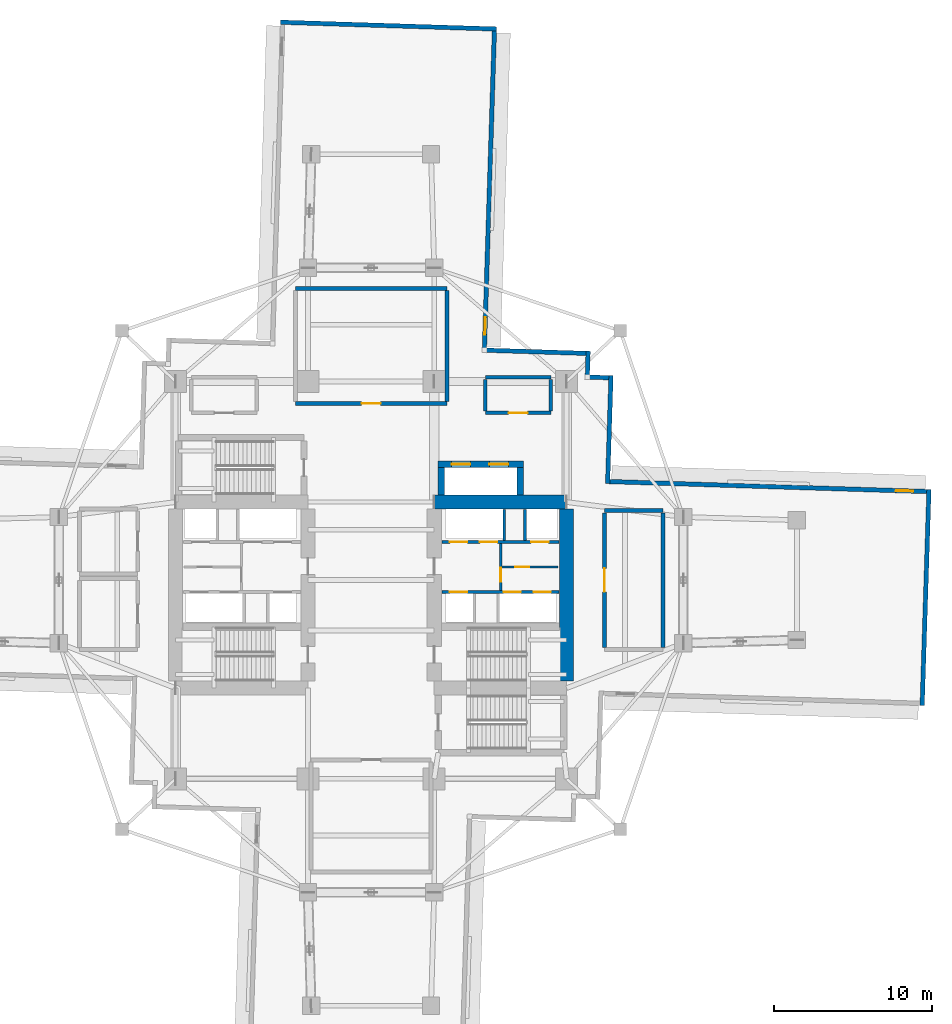
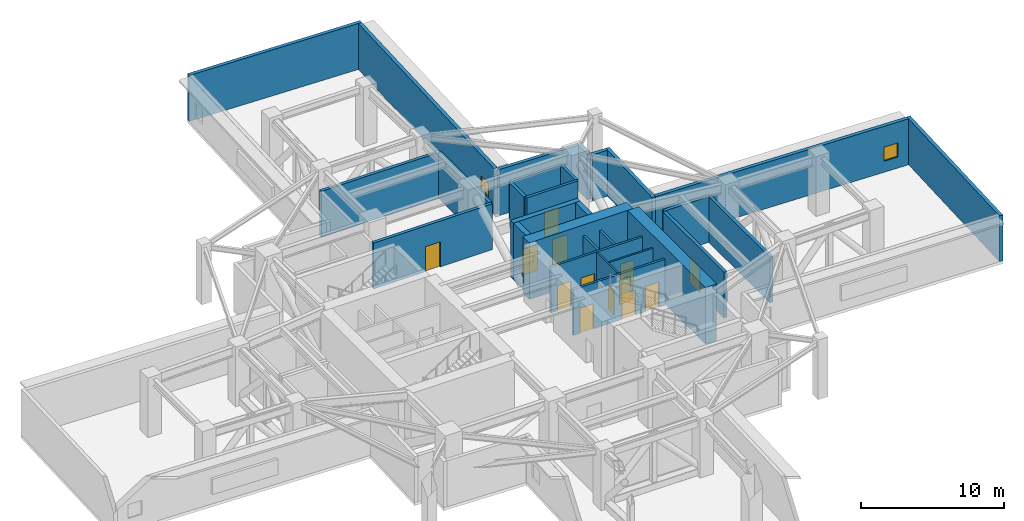
# One storey, part 11 of 17: 29 walls, 13 doors, 2 windows, 15 openings.
"""IFC4 building model written with IfcOpenShell, lengths in metres."""

from ifc_helpers import new_model, si_unit, direction, frame, frame_2d, origin, place, context, subcontext, project, spatial, rectangle, extrude, material, layer, layer_set, type_object, element, fill, save


model = new_model("IFC4")

# Units and contexts
model_context = context("Model", 3, precision=1e-05, world=origin(), true_north=direction((0.0, 1.0)))
body_context = subcontext(model_context, "Body", "Model", "MODEL_VIEW")
ifc_project = project(units=[si_unit("LENGTHUNIT", "METRE"), si_unit("AREAUNIT", "SQUARE_METRE"), si_unit("VOLUMEUNIT", "CUBIC_METRE"), si_unit("PLANEANGLEUNIT", "RADIAN"), si_unit("MASSUNIT", "GRAM", prefix="KILO")], contexts=[model_context])

# Site, building, storey
site_placement = place(None, origin())
site = spatial("IfcSite", under=ifc_project, at=site_placement, CompositionType="ELEMENT")
building_placement = place(site_placement, origin())
building = spatial("IfcBuilding", under=site, at=building_placement, Name="Qingluan Cross Belvedere", CompositionType="ELEMENT")
storey_placement = place(building_placement, frame((0.0, 0.0, 95.10009765625)))
storey = spatial("IfcBuildingStorey", under=building, at=storey_placement, Name="L24", CompositionType="ELEMENT", Elevation=95.10009765625)

# Wall
ifc_material_1 = material(Name="Concrete C50", Category="concrete")
ifc_layer_1 = layer(ifc_material_1, 0.449951171875, Name="CoreShearWall_450")
ifc_layer_set_1 = layer_set([ifc_layer_1], Name="Concrete C50")
wall_type_1 = type_object("IfcWallType", Name="CoreShearWall_450", PredefinedType="SHEAR", material=ifc_layer_set_1)
wall_1_placement = place(storey_placement, frame((4.449951171875, 5.405029296875, 0.0), z_axis=(0.0, 0.0, 1.0), x_axis=(0.0, 1.0, 0.0)))
element("IfcWall", 1, at=wall_1_placement, inside=storey, type_object=wall_type_1, Name="Express shuttle core wall L24-W", PredefinedType="SHEAR", context=body_context, shape_type="SweptSolid", body=[
    extrude(rectangle(XDim=1.73486328125, YDim=0.39990234375, at=frame_2d((0.867431640625, 0.0))), origin(), (0.0, 0.0, 1.0), 4.849853515625),
])

# Wall, openings, doors
wall_2_placement = place(storey_placement, frame((4.25, 7.35009765625, 0.0), z_axis=(0.0, 0.0, 1.0), x_axis=(1.0, 0.0, 0.0)))
wall_2 = element("IfcWall", 2, at=wall_2_placement, inside=storey, type_object=wall_type_1, Name="Express shuttle core wall L24-N", PredefinedType="SHEAR", context=body_context, shape_type="SweptSolid", body=[
    extrude(rectangle(XDim=5.39990234375, YDim=0.39990234375, at=frame_2d((2.699951171875, 0.0))), origin(), (0.0, 0.0, 1.0), 4.849853515625),
])
opening_1_placement = place(wall_2_placement, frame((0.85009765625, 0.0, 0.0)))
opening_1 = element("IfcOpeningElement", 3, at=opening_1_placement, cuts=wall_2, Name="Opening LD-12", PredefinedType="OPENING", context=body_context, shape_type="SweptSolid", body=[
    extrude(rectangle(XDim=1.199951171875, YDim=2.199951171875, at=frame_2d((0.60009765625, 1.10009765625))), frame((0.0, 0.2099609375, 0.0), z_axis=(0.0, -1.0, 0.0), x_axis=(1.0, 0.0, 0.0)), (0.0, 0.0, 1.0), 0.419921875),
])
opening_2_placement = place(wall_2_placement, frame((3.25, 0.0, 0.0)))
opening_2 = element("IfcOpeningElement", 4, at=opening_2_placement, cuts=wall_2, Name="Opening LD-12", PredefinedType="OPENING", context=body_context, shape_type="SweptSolid", body=[
    extrude(rectangle(XDim=1.199951171875, YDim=2.199951171875, at=frame_2d((0.60009765625, 1.10009765625))), frame((0.0, 0.2099609375, 0.0), z_axis=(0.0, -1.0, 0.0), x_axis=(1.0, 0.0, 0.0)), (0.0, 0.0, 1.0), 0.419921875),
])
ifc_material_2 = material(Name="Bronze-anodised stainless steel lift landing door", Category="steel")
door_type_1 = type_object("IfcDoorType", Name="ExpressLiftSlidingDoor_1200", OperationType="DOUBLE_DOOR_SLIDING", PredefinedType="DOOR", material=ifc_material_2)
door_1_placement = place(opening_1_placement, origin())
door_1 = element("IfcDoor", 5, at=door_1_placement, inside=storey, type_object=door_type_1, Name="Express shuttle landing sliding door LPX1 L24", OperationType="DOUBLE_DOOR_SLIDING", OverallHeight=2.199951171875, OverallWidth=1.199951171875, PredefinedType="DOOR", context=body_context, shape_type="SweptSolid", body=[
    extrude(rectangle(XDim=1.199951171875, YDim=2.199951171875, at=frame_2d((0.60009765625, 1.10009765625))), frame((0.0, 0.02490234375, 0.0), z_axis=(0.0, -1.0, 0.0), x_axis=(1.0, 0.0, 0.0)), (0.0, 0.0, 1.0), 0.050048828125),
])
fill(opening_1, door_1)
door_2_placement = place(opening_2_placement, origin())
door_2 = element("IfcDoor", 6, at=door_2_placement, inside=storey, type_object=door_type_1, Name="Express shuttle landing sliding door LPX2 L24", OperationType="DOUBLE_DOOR_SLIDING", OverallHeight=2.199951171875, OverallWidth=1.199951171875, PredefinedType="DOOR", context=body_context, shape_type="SweptSolid", body=[
    extrude(rectangle(XDim=1.199951171875, YDim=2.199951171875, at=frame_2d((0.60009765625, 1.10009765625))), frame((0.0, 0.02490234375, 0.0), z_axis=(0.0, -1.0, 0.0), x_axis=(1.0, 0.0, 0.0)), (0.0, 0.0, 1.0), 0.050048828125),
])
fill(opening_2, door_2)

# Walls
wall_3_placement = place(storey_placement, frame((9.449951171875, 5.405029296875, 0.0), z_axis=(0.0, 0.0, 1.0), x_axis=(0.0, 1.0, 0.0)))
element("IfcWall", 7, at=wall_3_placement, inside=storey, type_object=wall_type_1, Name="Express shuttle core wall L24-E", PredefinedType="SHEAR", context=body_context, shape_type="SweptSolid", body=[
    extrude(rectangle(XDim=1.73486328125, YDim=0.39990234375, at=frame_2d((0.867431640625, 0.0))), origin(), (0.0, 0.0, 1.0), 4.849853515625),
])
ifc_material_3 = material(Name="Concrete C70", Category="concrete")
ifc_layer_2 = layer(ifc_material_3, 0.89990234375, Name="CoreShearWall_900")
ifc_layer_set_2 = layer_set([ifc_layer_2], Name="Concrete C70")
wall_type_2 = type_object("IfcWallType", Name="CoreShearWall_900", PredefinedType="SHEAR", material=ifc_layer_set_2)
wall_4_placement = place(storey_placement, frame((4.0, 4.949951171875, 0.0), z_axis=(0.0, 0.0, 1.0), x_axis=(1.0, 0.0, 0.0)))
element("IfcWall", 8, at=wall_4_placement, inside=storey, type_object=wall_type_2, Name="Split core E shear wall L24-N", PredefinedType="SHEAR", context=body_context, shape_type="SweptSolid", body=[
    extrude(rectangle(XDim=8.39990234375, YDim=0.89990234375, at=frame_2d((4.199951171875, 0.0))), origin(), (0.0, 0.0, 1.0), 4.849853515625),
])
wall_5_placement = place(storey_placement, frame((12.39990234375, -6.39501953125, 0.0), z_axis=(0.0, 0.0, 1.0), x_axis=(0.0, 1.0, 0.0)))
element("IfcWall", 9, at=wall_5_placement, inside=storey, type_object=wall_type_2, Name="Split core E shear wall L24-E", PredefinedType="SHEAR", context=body_context, shape_type="SweptSolid", body=[
    extrude(rectangle(XDim=10.89013671875, YDim=0.89990234375, at=frame_2d((5.445068359375, 0.0))), origin(), (0.0, 0.0, 1.0), 4.849853515625),
])

# Wall, opening, door
ifc_material_4 = material(Name="Gypsum plasterboard on steel stud acoustic partition", Category="steel")
ifc_layer_3 = layer(ifc_material_4, 0.159912109375, Name="CorridorPartition_160")
ifc_layer_set_3 = layer_set([ifc_layer_3], Name="Gypsum plasterboard on steel stud acoustic partition")
wall_type_3 = type_object("IfcWallType", Name="CorridorPartition_160", PredefinedType="PARTITIONING", material=ifc_layer_set_3)
wall_6_placement = place(storey_placement, frame((8.298095703125, 0.830078125, 0.0), z_axis=(0.0, 0.0, 1.0), x_axis=(1.0, 0.0, 0.0)))
wall_6 = element("IfcWall", 10, at=wall_6_placement, inside=storey, type_object=wall_type_3, Name="Partition L24:e", PredefinedType="PARTITIONING", context=body_context, shape_type="SweptSolid", body=[
    extrude(rectangle(XDim=3.552001953125, YDim=0.139892578125, at=frame_2d((1.77587890625, 0.0))), origin(), (0.0, 0.0, 1.0), 3.919921875),
])
opening_3_placement = place(wall_6_placement, frame((0.85009765625, 0.0, 0.0)))
opening_3 = element("IfcOpeningElement", 11, at=opening_3_placement, cuts=wall_6, Name="Opening FD-B10", PredefinedType="OPENING", context=body_context, shape_type="SweptSolid", body=[
    extrude(rectangle(XDim=0.8798828125, YDim=2.10009765625, at=frame_2d((0.43994140625, 1.050048828125))), frame((0.0, 0.079833984375, 0.0), z_axis=(0.0, -1.0, 0.0), x_axis=(1.0, 0.0, 0.0)), (0.0, 0.0, 1.0), 0.159912109375),
])
ifc_material_5 = material(Name="Steel Class B service fire door", Category="steel")
door_type_2 = type_object("IfcDoorType", Name="RiserServiceFireDoor_FDB", OperationType="NOTDEFINED", PredefinedType="DOOR", material=ifc_material_5)
door_3_placement = place(opening_3_placement, origin())
door_3 = element("IfcDoor", 12, at=door_3_placement, inside=storey, type_object=door_type_2, Name="Service closet inner door L24", OperationType="SINGLE_SWING_LEFT", OverallHeight=2.10009765625, OverallWidth=0.8798828125, PredefinedType="DOOR", context=body_context, shape_type="SweptSolid", body=[
    extrude(rectangle(XDim=0.8798828125, YDim=2.10009765625, at=frame_2d((0.43994140625, 1.050048828125))), frame((0.0, 0.02490234375, 0.0), z_axis=(0.0, -1.0, 0.0), x_axis=(1.0, 0.0, 0.0)), (0.0, 0.0, 1.0), 0.050048828125),
])
fill(opening_3, door_3)

wall_7_placement = place(storey_placement, frame((7.25, 10.60009765625, 0.0), z_axis=(0.0, 0.0, 1.0), x_axis=(1.0, 0.0, 0.0)))
wall_7 = element("IfcWall", 13, at=wall_7_placement, inside=storey, type_object=wall_type_3, Name="Partition L24:refuge_ne:S", PredefinedType="PARTITIONING", context=body_context, shape_type="SweptSolid", body=[
    extrude(rectangle(XDim=4.14990234375, YDim=0.219970703125, at=frame_2d((2.074951171875, 0.0))), origin(), (0.0, 0.0, 1.0), 3.919921875),
])
opening_4_placement = place(wall_7_placement, frame((1.47509765625, 0.0, 0.0)))
opening_4 = element("IfcOpeningElement", 14, at=opening_4_placement, cuts=wall_7, Name="Opening FD-A12", PredefinedType="OPENING", context=body_context, shape_type="SweptSolid", body=[
    extrude(rectangle(XDim=1.199951171875, YDim=2.14990234375, at=frame_2d((0.60009765625, 1.074951171875))), frame((0.0, 0.119873046875, 0.0), z_axis=(0.0, -1.0, 0.0), x_axis=(1.0, 0.0, 0.0)), (0.0, 0.0, 1.0), 0.239990234375),
])
ifc_material_6 = material(Name="Insulated steel Class A fire door", Category="steel")
door_type_3 = type_object("IfcDoorType", Name="RefugeCompartmentDoor_FDA", OperationType="NOTDEFINED", PredefinedType="DOOR", material=ifc_material_6)
door_4_placement = place(opening_4_placement, origin())
door_4 = element("IfcDoor", 15, at=door_4_placement, inside=storey, type_object=door_type_3, Name="Fire refuge bay Northeast L24 door", OperationType="SINGLE_SWING_LEFT", OverallHeight=2.14990234375, OverallWidth=1.199951171875, PredefinedType="DOOR", context=body_context, shape_type="SweptSolid", body=[
    extrude(rectangle(XDim=1.199951171875, YDim=2.14990234375, at=frame_2d((0.60009765625, 1.074951171875))), frame((0.0, 0.02490234375, 0.0), z_axis=(0.0, -1.0, 0.0), x_axis=(1.0, 0.0, 0.0)), (0.0, 0.0, 1.0), 0.050048828125),
])
fill(opening_4, door_4)

# Walls
wall_8_placement = place(storey_placement, frame((7.25, 12.85009765625, 0.0), z_axis=(0.0, 0.0, 1.0), x_axis=(1.0, 0.0, 0.0)))
element("IfcWall", 16, at=wall_8_placement, inside=storey, type_object=wall_type_3, Name="Partition L24:refuge_ne:N", PredefinedType="PARTITIONING", context=body_context, shape_type="SweptSolid", body=[
    extrude(rectangle(XDim=4.14990234375, YDim=0.219970703125, at=frame_2d((2.074951171875, 0.0))), origin(), (0.0, 0.0, 1.0), 3.919921875),
])
for number, where, z_axis, x_axis, name in (
    (17, (7.25, 10.715087890625, 0.0), (0.0, 0.0, 1.0), (0.0, 1.0, 0.0), "Partition L24:refuge_ne:W"),
    (18, (11.39990234375, 10.715087890625, 0.0), (0.0, 0.0, 1.0), (0.0, 1.0, 0.0), "Partition L24:refuge_ne:E"),
):
    element("IfcWall", number, at=place(storey_placement, frame(where, z_axis=z_axis, x_axis=x_axis)), inside=storey, type_object=wall_type_3, Name=name, PredefinedType="PARTITIONING", context=body_context, shape_type="SweptSolid", body=[
        extrude(rectangle(XDim=2.02001953125, YDim=0.219970703125, at=frame_2d((1.010009765625, 0.0))), origin(), (0.0, 0.0, 1.0), 3.919921875),
    ])

# Wall, opening, door
ifc_material_7 = material(Name="Concrete C40", Category="concrete")
ifc_layer_4 = layer(ifc_material_7, 0.300048828125, Name="FireCompartmentWall_300")
ifc_layer_set_4 = layer_set([ifc_layer_4], Name="Concrete C40")
wall_type_4 = type_object("IfcWallType", Name="FireCompartmentWall_300", PredefinedType="SOLIDWALL", material=ifc_layer_set_4)
wall_9_placement = place(storey_placement, frame((-4.800048828125, 11.199951171875, 0.0), z_axis=(0.0, 0.0, 1.0), x_axis=(1.0, 0.0, 0.0)))
wall_9 = element("IfcWall", 19, at=wall_9_placement, inside=storey, type_object=wall_type_4, Name="Partition L24:refuge_n:S", PredefinedType="SOLIDWALL", context=body_context, shape_type="SweptSolid", body=[
    extrude(rectangle(XDim=9.60009765625, YDim=0.25, at=frame_2d((4.800048828125, 0.0))), origin(), (0.0, 0.0, 1.0), 3.919921875),
])
opening_5_placement = place(wall_9_placement, frame((4.199951171875, 0.0, 0.0)))
opening_5 = element("IfcOpeningElement", 20, at=opening_5_placement, cuts=wall_9, Name="Opening FD-A12", PredefinedType="OPENING", context=body_context, shape_type="SweptSolid", body=[
    extrude(rectangle(XDim=1.199951171875, YDim=2.14990234375, at=frame_2d((0.60009765625, 1.074951171875))), frame((0.0, 0.135009765625, 0.0), z_axis=(0.0, -1.0, 0.0), x_axis=(1.0, 0.0, 0.0)), (0.0, 0.0, 1.0), 0.27001953125),
])
door_5_placement = place(opening_5_placement, origin())
door_5 = element("IfcDoor", 21, at=door_5_placement, inside=storey, type_object=door_type_3, Name="Fire refuge area North L24 door", OperationType="SINGLE_SWING_RIGHT", OverallHeight=2.14990234375, OverallWidth=1.199951171875, PredefinedType="DOOR", context=body_context, shape_type="SweptSolid", body=[
    extrude(rectangle(XDim=1.199951171875, YDim=2.14990234375, at=frame_2d((0.60009765625, 1.074951171875))), frame((0.0, 0.02490234375, 0.0), z_axis=(0.0, -1.0, 0.0), x_axis=(1.0, 0.0, 0.0)), (0.0, 0.0, 1.0), 0.050048828125),
])
fill(opening_5, door_5)

# Walls
wall_10_placement = place(storey_placement, frame((-4.800048828125, 18.5, 0.0), z_axis=(0.0, 0.0, 1.0), x_axis=(1.0, 0.0, 0.0)))
element("IfcWall", 22, at=wall_10_placement, inside=storey, type_object=wall_type_4, Name="Partition L24:refuge_n:N", PredefinedType="SOLIDWALL", context=body_context, shape_type="SweptSolid", body=[
    extrude(rectangle(XDim=9.60009765625, YDim=0.25, at=frame_2d((4.800048828125, 0.0))), origin(), (0.0, 0.0, 1.0), 3.919921875),
])
wall_11_placement = place(storey_placement, frame((4.800048828125, 11.330078125, 0.0), z_axis=(0.0, 0.0, 1.0), x_axis=(0.0, 1.0, 0.0)))
element("IfcWall", 23, at=wall_11_placement, inside=storey, type_object=wall_type_4, Name="Partition L24:refuge_n:E", PredefinedType="SOLIDWALL", context=body_context, shape_type="SweptSolid", body=[
    extrude(rectangle(XDim=7.0400390625, YDim=0.25, at=frame_2d((3.52001953125, 0.0))), origin(), (0.0, 0.0, 1.0), 3.919921875),
])
wall_12_placement = place(storey_placement, frame((14.800048828125, 4.39990234375, 0.0), z_axis=(0.0, 0.0, 1.0), x_axis=(1.0, 0.0, 0.0)))
element("IfcWall", 24, at=wall_12_placement, inside=storey, type_object=wall_type_4, Name="Partition L24:ahu_plant:N", PredefinedType="SOLIDWALL", context=body_context, shape_type="SweptSolid", body=[
    extrude(rectangle(XDim=3.699951171875, YDim=0.25, at=frame_2d((1.85009765625, 0.0))), origin(), (0.0, 0.0, 1.0), 3.919921875),
])

# Wall, opening, door
wall_13_placement = place(storey_placement, frame((14.800048828125, -4.27001953125, 0.0), z_axis=(0.0, 0.0, 1.0), x_axis=(0.0, 1.0, 0.0)))
wall_13 = element("IfcWall", 25, at=wall_13_placement, inside=storey, type_object=wall_type_4, Name="Partition L24:ahu_plant:W", PredefinedType="SOLIDWALL", context=body_context, shape_type="SweptSolid", body=[
    extrude(rectangle(XDim=8.5400390625, YDim=0.25, at=frame_2d((4.27001953125, 0.0))), origin(), (0.0, 0.0, 1.0), 3.919921875),
])
opening_6_placement = place(wall_13_placement, frame((3.52001953125, 0.0, 0.0)))
opening_6 = element("IfcOpeningElement", 26, at=opening_6_placement, cuts=wall_13, Name="Opening FD-A15", PredefinedType="OPENING", context=body_context, shape_type="SweptSolid", body=[
    extrude(rectangle(XDim=1.5, YDim=2.14990234375, at=frame_2d((0.75, 1.074951171875))), frame((0.0, 0.135009765625, 0.0), z_axis=(0.0, -1.0, 0.0), x_axis=(1.0, 0.0, 0.0)), (0.0, 0.0, 1.0), 0.27001953125),
])
ifc_material_8 = material(Name="Insulated steel Class A double fire door", Category="steel")
door_type_4 = type_object("IfcDoorType", Name="PlantDoubleFireDoor_FDA", OperationType="DOUBLE_DOOR_SINGLE_SWING", PredefinedType="DOOR", material=ifc_material_8)
door_6_placement = place(opening_6_placement, origin())
door_6 = element("IfcDoor", 27, at=door_6_placement, inside=storey, type_object=door_type_4, Name="Air handling ventilation plant room L24 door", OperationType="DOUBLE_DOOR_SINGLE_SWING", OverallHeight=2.14990234375, OverallWidth=1.5, PredefinedType="DOOR", context=body_context, shape_type="SweptSolid", body=[
    extrude(rectangle(XDim=1.5, YDim=2.14990234375, at=frame_2d((0.75, 1.074951171875))), frame((0.0, 0.02490234375, 0.0), z_axis=(0.0, -1.0, 0.0), x_axis=(1.0, 0.0, 0.0)), (0.0, 0.0, 1.0), 0.050048828125),
])
fill(opening_6, door_6)

# Wall
wall_14_placement = place(storey_placement, frame((18.5, -4.27001953125, 0.0), z_axis=(0.0, 0.0, 1.0), x_axis=(0.0, 1.0, 0.0)))
element("IfcWall", 28, at=wall_14_placement, inside=storey, type_object=wall_type_4, Name="Partition L24:ahu_plant:E", PredefinedType="SOLIDWALL", context=body_context, shape_type="SweptSolid", body=[
    extrude(rectangle(XDim=8.5400390625, YDim=0.25, at=frame_2d((4.27001953125, 0.0))), origin(), (0.0, 0.0, 1.0), 3.919921875),
])

# Wall, opening, window
ifc_material_9 = material(Name="Precast concrete C45", Category="concrete")
ifc_layer_5 = layer(ifc_material_9, 0.280029296875, Name="PrecastFacadeWall_280")
ifc_layer_set_5 = layer_set([ifc_layer_5], Name="Precast concrete C45")
wall_type_5 = type_object("IfcWallType", Name="PrecastFacadeWall_280", PredefinedType="STANDARD", material=ifc_layer_set_5)
wall_15_placement = place(storey_placement, frame((35.23388671875, 5.6162109375, 0.0), z_axis=(0.0, 0.0, 1.0), x_axis=(-0.999506955354, 0.031398187845, 0.0)))
wall_15 = element("IfcWall", 29, at=wall_15_placement, inside=storey, type_object=wall_type_5, Name="Facade wall L24-EB", PredefinedType="STANDARD", context=body_context, shape_type="SweptSolid", body=[
    extrude(rectangle(XDim=20.10009765625, YDim=0.280029296875, at=frame_2d((10.050048828125, 0.0))), origin(), (0.0, 0.0, 1.0), 3.929931640625),
])
opening_7_placement = place(wall_15_placement, frame((0.85009765625, 0.0, 0.949951171875)))
opening_7 = element("IfcOpeningElement", 30, at=opening_7_placement, cuts=wall_15, Name="Opening W-07", PredefinedType="OPENING", context=body_context, shape_type="SweptSolid", body=[
    extrude(rectangle(XDim=1.10009765625, YDim=1.199951171875, at=frame_2d((0.550048828125, 0.60009765625))), frame((0.0, 0.14990234375, 0.0), z_axis=(0.0, -1.0, 0.0), x_axis=(1.0, 0.0, 0.0)), (0.0, 0.0, 1.0), 0.300048828125),
])
ifc_material_10 = material(Name="Thermally broken triple Low-E glass in aluminium frame", Category="aluminium")
window_type = type_object("IfcWindowType", Name="RefugeSmokeWin_1100x1200", PartitioningType="SINGLE_PANEL", PredefinedType="WINDOW", material=ifc_material_10)
window_1_placement = place(opening_7_placement, origin())
window_1 = element("IfcWindow", 31, at=window_1_placement, inside=storey, type_object=window_type, Name="Refuge operable smoke window L24-EB", OverallHeight=1.199951171875, OverallWidth=1.10009765625, PartitioningType="SINGLE_PANEL", PredefinedType="WINDOW", context=body_context, shape_type="SweptSolid", body=[
    extrude(rectangle(XDim=1.10009765625, YDim=1.199951171875, at=frame_2d((0.550048828125, 0.60009765625))), frame((0.0, 0.030029296875, 0.0), z_axis=(0.0, -1.0, 0.0), x_axis=(1.0, 0.0, 0.0)), (0.0, 0.0, 1.0), 0.06005859375),
])
fill(opening_7, window_1)

# Wall
wall_16_placement = place(storey_placement, frame((34.947265625, -7.961669921875, 0.0), z_axis=(0.0, 0.0, 1.0), x_axis=(0.031406966164, 0.999506679556, 0.0)))
element("IfcWall", 32, at=wall_16_placement, inside=storey, type_object=wall_type_5, Name="Arm tip precast facade wall L24-E", PredefinedType="STANDARD", context=body_context, shape_type="SweptSolid", body=[
    extrude(rectangle(XDim=13.72021484375, YDim=0.280029296875, at=frame_2d((6.860107421875, 0.0))), origin(), (0.0, 0.0, 1.0), 3.929931640625),
])

# Wall, opening, window
wall_17_placement = place(storey_placement, frame((7.18603515625, 14.721435546875, 0.0), z_axis=(0.0, 0.0, 1.0), x_axis=(0.031410322165, 0.999506574096, 0.0)))
wall_17 = element("IfcWall", 33, at=wall_17_placement, inside=storey, type_object=wall_type_5, Name="Facade wall L24-NA", PredefinedType="STANDARD", context=body_context, shape_type="SweptSolid", body=[
    extrude(rectangle(XDim=20.10009765625, YDim=0.280029296875, at=frame_2d((10.050048828125, 0.0))), origin(), (0.0, 0.0, 1.0), 3.929931640625),
])
opening_8_placement = place(wall_17_placement, frame((0.85009765625, 0.0, 0.949951171875)))
opening_8 = element("IfcOpeningElement", 34, at=opening_8_placement, cuts=wall_17, Name="Opening W-07", PredefinedType="OPENING", context=body_context, shape_type="SweptSolid", body=[
    extrude(rectangle(XDim=1.10009765625, YDim=1.199951171875, at=frame_2d((0.550048828125, 0.60009765625))), frame((0.0, 0.14990234375, 0.0), z_axis=(0.0, -1.0, 0.0), x_axis=(1.0, 0.0, 0.0)), (0.0, 0.0, 1.0), 0.300048828125),
])
window_2_placement = place(opening_8_placement, origin())
window_2 = element("IfcWindow", 35, at=window_2_placement, inside=storey, type_object=window_type, Name="Refuge operable smoke window L24-NA", OverallHeight=1.199951171875, OverallWidth=1.10009765625, PartitioningType="SINGLE_PANEL", PredefinedType="WINDOW", context=body_context, shape_type="SweptSolid", body=[
    extrude(rectangle(XDim=1.10009765625, YDim=1.199951171875, at=frame_2d((0.550048828125, 0.60009765625))), frame((0.0, 0.030029296875, 0.0), z_axis=(0.0, -1.0, 0.0), x_axis=(1.0, 0.0, 0.0)), (0.0, 0.0, 1.0), 0.06005859375),
])
fill(opening_8, window_2)

# Walls
wall_18_placement = place(storey_placement, frame((7.961669921875, 34.947265625, 0.0), z_axis=(0.0, 0.0, 1.0), x_axis=(-0.999506679556, 0.031406966164, 0.0)))
element("IfcWall", 36, at=wall_18_placement, inside=storey, type_object=wall_type_5, Name="Arm tip precast facade wall L24-N", PredefinedType="STANDARD", context=body_context, shape_type="SweptSolid", body=[
    extrude(rectangle(XDim=13.72021484375, YDim=0.280029296875, at=frame_2d((6.860107421875, 0.0))), origin(), (0.0, 0.0, 1.0), 3.929931640625),
])
wall_19_placement = place(storey_placement, frame((14.99951171875, 6.11181640625, 0.0), z_axis=(0.0, 0.0, 1.0), x_axis=(0.031389189386, 0.999507237988, 0.0)))
element("IfcWall", 37, at=wall_19_placement, inside=storey, type_object=wall_type_5, Name="Corner wall L24-NE1", PredefinedType="STANDARD", context=body_context, shape_type="SweptSolid", body=[
    extrude(rectangle(XDim=6.860107421875, YDim=0.280029296875, at=frame_2d((3.43017578125, 0.0))), origin(), (0.0, 0.0, 1.0), 3.929931640625),
])
wall_20_placement = place(storey_placement, frame((15.070556640625, 12.8330078125, 0.0), z_axis=(0.0, 0.0, 1.0), x_axis=(-0.999506398264, 0.031415916822, 0.0)))
element("IfcWall", 38, at=wall_20_placement, inside=storey, type_object=wall_type_5, Name="Corner wall L24-NE2", PredefinedType="STANDARD", context=body_context, shape_type="SweptSolid", body=[
    extrude(rectangle(XDim=1.219970703125, YDim=0.280029296875, at=frame_2d((0.60986328125, 0.0))), origin(), (0.0, 0.0, 1.0), 3.929931640625),
])
wall_21_placement = place(storey_placement, frame((13.715576171875, 13.015625, 0.0), z_axis=(0.0, 0.0, 1.0), x_axis=(0.031412596484, 0.999506502621, 0.0)))
element("IfcWall", 39, at=wall_21_placement, inside=storey, type_object=wall_type_5, Name="Corner wall L24-NE3", PredefinedType="STANDARD", context=body_context, shape_type="SweptSolid", body=[
    extrude(rectangle(XDim=1.5, YDim=0.280029296875, at=frame_2d((0.75, 0.0))), origin(), (0.0, 0.0, 1.0), 3.929931640625),
])
wall_22_placement = place(storey_placement, frame((13.618408203125, 14.37939453125, 0.0), z_axis=(0.0, 0.0, 1.0), x_axis=(-0.999507224741, 0.031389611199, 0.0)))
element("IfcWall", 40, at=wall_22_placement, inside=storey, type_object=wall_type_5, Name="Corner wall L24-NE4", PredefinedType="STANDARD", context=body_context, shape_type="SweptSolid", body=[
    extrude(rectangle(XDim=6.300048828125, YDim=0.280029296875, at=frame_2d((3.14990234375, 0.0))), origin(), (0.0, 0.0, 1.0), 3.929931640625),
])

# Wall, openings, doors
ifc_material_11 = material(Name="Concrete C40", Category="concrete")
ifc_layer_6 = layer(ifc_material_11, 0.219970703125, Name="ShaftEnclosureWall_250")
ifc_layer_set_6 = layer_set([ifc_layer_6], Name="Concrete C40")
wall_type_6 = type_object("IfcWallType", Name="ShaftEnclosureWall_250", PredefinedType="SOLIDWALL", material=ifc_layer_set_6)
wall_23_placement = place(storey_placement, frame((4.47998046875, 2.409912109375, 0.0), z_axis=(0.0, 0.0, 1.0), x_axis=(1.0, 0.0, 0.0)))
wall_23 = element("IfcWall", 41, at=wall_23_placement, inside=storey, type_object=wall_type_6, Name="Core-E north hoistway wall L24", PredefinedType="SOLIDWALL", context=body_context, shape_type="SweptSolid", body=[
    extrude(rectangle(XDim=7.419921875, YDim=0.179931640625, at=frame_2d((3.7099609375, 0.0))), origin(), (0.0, 0.0, 1.0), 3.919921875),
])
opening_9_placement = place(wall_23_placement, frame((5.669921875, 0.0, 0.0)))
opening_9 = element("IfcOpeningElement", 42, at=opening_9_placement, cuts=wall_23, Name="Opening LD-11", PredefinedType="OPENING", context=body_context, shape_type="SweptSolid", body=[
    extrude(rectangle(XDim=1.10009765625, YDim=2.14990234375, at=frame_2d((0.550048828125, 1.074951171875))), frame((0.0, 0.099853515625, 0.0), z_axis=(0.0, -1.0, 0.0), x_axis=(1.0, 0.0, 0.0)), (0.0, 0.0, 1.0), 0.199951171875),
])
opening_10_placement = place(wall_23_placement, frame((0.52001953125, 0.0, 0.0)))
opening_10 = element("IfcOpeningElement", 43, at=opening_10_placement, cuts=wall_23, Name="Opening LD-11", PredefinedType="OPENING", context=body_context, shape_type="SweptSolid", body=[
    extrude(rectangle(XDim=1.10009765625, YDim=2.14990234375, at=frame_2d((0.550048828125, 1.074951171875))), frame((0.0, 0.099853515625, 0.0), z_axis=(0.0, -1.0, 0.0), x_axis=(1.0, 0.0, 0.0)), (0.0, 0.0, 1.0), 0.199951171875),
])
opening_11_placement = place(wall_23_placement, frame((2.419921875, 0.0, 0.0)))
opening_11 = element("IfcOpeningElement", 44, at=opening_11_placement, cuts=wall_23, Name="Opening LD-11", PredefinedType="OPENING", context=body_context, shape_type="SweptSolid", body=[
    extrude(rectangle(XDim=1.10009765625, YDim=2.14990234375, at=frame_2d((0.550048828125, 1.074951171875))), frame((0.0, 0.099853515625, 0.0), z_axis=(0.0, -1.0, 0.0), x_axis=(1.0, 0.0, 0.0)), (0.0, 0.0, 1.0), 0.199951171875),
])
ifc_material_12 = material(Name="Brushed stainless steel centre-opening lift landing door", Category="steel")
door_type_5 = type_object("IfcDoorType", Name="LiftLandingSlidingDoor_1100", OperationType="DOUBLE_DOOR_SLIDING", PredefinedType="DOOR", material=ifc_material_12)
door_7_placement = place(opening_9_placement, origin())
door_7 = element("IfcDoor", 45, at=door_7_placement, inside=storey, type_object=door_type_5, Name="Lift landing sliding door FL2 L24", OperationType="DOUBLE_DOOR_SLIDING", OverallHeight=2.14990234375, OverallWidth=1.10009765625, PredefinedType="DOOR", context=body_context, shape_type="SweptSolid", body=[
    extrude(rectangle(XDim=1.10009765625, YDim=2.14990234375, at=frame_2d((0.550048828125, 1.074951171875))), frame((0.0, 0.02490234375, 0.0), z_axis=(0.0, -1.0, 0.0), x_axis=(1.0, 0.0, 0.0)), (0.0, 0.0, 1.0), 0.050048828125),
])
fill(opening_9, door_7)
door_8_placement = place(opening_10_placement, origin())
door_8 = element("IfcDoor", 46, at=door_8_placement, inside=storey, type_object=door_type_5, Name="Lift landing sliding door LP3 L24", OperationType="DOUBLE_DOOR_SLIDING", OverallHeight=2.14990234375, OverallWidth=1.10009765625, PredefinedType="DOOR", context=body_context, shape_type="SweptSolid", body=[
    extrude(rectangle(XDim=1.10009765625, YDim=2.14990234375, at=frame_2d((0.550048828125, 1.074951171875))), frame((0.0, 0.02490234375, 0.0), z_axis=(0.0, -1.0, 0.0), x_axis=(1.0, 0.0, 0.0)), (0.0, 0.0, 1.0), 0.050048828125),
])
fill(opening_10, door_8)
door_9_placement = place(opening_11_placement, origin())
door_9 = element("IfcDoor", 47, at=door_9_placement, inside=storey, type_object=door_type_5, Name="Lift landing sliding door LP4 L24", OperationType="DOUBLE_DOOR_SLIDING", OverallHeight=2.14990234375, OverallWidth=1.10009765625, PredefinedType="DOOR", context=body_context, shape_type="SweptSolid", body=[
    extrude(rectangle(XDim=1.10009765625, YDim=2.14990234375, at=frame_2d((0.550048828125, 1.074951171875))), frame((0.0, 0.02490234375, 0.0), z_axis=(0.0, -1.0, 0.0), x_axis=(1.0, 0.0, 0.0)), (0.0, 0.0, 1.0), 0.050048828125),
])
fill(opening_11, door_9)

wall_24_placement = place(storey_placement, frame((4.47998046875, -0.75, 0.0), z_axis=(0.0, 0.0, 1.0), x_axis=(1.0, 0.0, 0.0)))
wall_24 = element("IfcWall", 48, at=wall_24_placement, inside=storey, type_object=wall_type_6, Name="Core-E mid hoistway wall L24", PredefinedType="SOLIDWALL", context=body_context, shape_type="SweptSolid", body=[
    extrude(rectangle(XDim=7.419921875, YDim=0.179931640625, at=frame_2d((3.7099609375, 0.0))), origin(), (0.0, 0.0, 1.0), 3.919921875),
])
opening_12_placement = place(wall_24_placement, frame((0.52001953125, 0.0, 0.0)))
opening_12 = element("IfcOpeningElement", 49, at=opening_12_placement, cuts=wall_24, Name="Opening LD-11", PredefinedType="OPENING", context=body_context, shape_type="SweptSolid", body=[
    extrude(rectangle(XDim=1.10009765625, YDim=2.14990234375, at=frame_2d((0.550048828125, 1.074951171875))), frame((0.0, 0.099853515625, 0.0), z_axis=(0.0, -1.0, 0.0), x_axis=(1.0, 0.0, 0.0)), (0.0, 0.0, 1.0), 0.199951171875),
])
opening_13_placement = place(wall_24_placement, frame((3.919921875, 0.0, 0.0)))
opening_13 = element("IfcOpeningElement", 50, at=opening_13_placement, cuts=wall_24, Name="Opening LD-11", PredefinedType="OPENING", context=body_context, shape_type="SweptSolid", body=[
    extrude(rectangle(XDim=1.10009765625, YDim=2.14990234375, at=frame_2d((0.550048828125, 1.074951171875))), frame((0.0, 0.099853515625, 0.0), z_axis=(0.0, -1.0, 0.0), x_axis=(1.0, 0.0, 0.0)), (0.0, 0.0, 1.0), 0.199951171875),
])
opening_14_placement = place(wall_24_placement, frame((5.820068359375, 0.0, 0.0)))
opening_14 = element("IfcOpeningElement", 51, at=opening_14_placement, cuts=wall_24, Name="Opening LD-11", PredefinedType="OPENING", context=body_context, shape_type="SweptSolid", body=[
    extrude(rectangle(XDim=1.10009765625, YDim=2.14990234375, at=frame_2d((0.550048828125, 1.074951171875))), frame((0.0, 0.099853515625, 0.0), z_axis=(0.0, -1.0, 0.0), x_axis=(1.0, 0.0, 0.0)), (0.0, 0.0, 1.0), 0.199951171875),
])
door_10_placement = place(opening_12_placement, origin())
door_10 = element("IfcDoor", 52, at=door_10_placement, inside=storey, type_object=door_type_5, Name="Lift landing sliding door LP7 L24", OperationType="DOUBLE_DOOR_SLIDING", OverallHeight=2.14990234375, OverallWidth=1.10009765625, PredefinedType="DOOR", context=body_context, shape_type="SweptSolid", body=[
    extrude(rectangle(XDim=1.10009765625, YDim=2.14990234375, at=frame_2d((0.550048828125, 1.074951171875))), frame((0.0, 0.02490234375, 0.0), z_axis=(0.0, -1.0, 0.0), x_axis=(1.0, 0.0, 0.0)), (0.0, 0.0, 1.0), 0.050048828125),
])
fill(opening_12, door_10)
door_11_placement = place(opening_13_placement, origin())
door_11 = element("IfcDoor", 53, at=door_11_placement, inside=storey, type_object=door_type_5, Name="Lift landing sliding door LP9 L24", OperationType="DOUBLE_DOOR_SLIDING", OverallHeight=2.14990234375, OverallWidth=1.10009765625, PredefinedType="DOOR", context=body_context, shape_type="SweptSolid", body=[
    extrude(rectangle(XDim=1.10009765625, YDim=2.14990234375, at=frame_2d((0.550048828125, 1.074951171875))), frame((0.0, 0.02490234375, 0.0), z_axis=(0.0, -1.0, 0.0), x_axis=(1.0, 0.0, 0.0)), (0.0, 0.0, 1.0), 0.050048828125),
])
fill(opening_13, door_11)
door_12_placement = place(opening_14_placement, origin())
door_12 = element("IfcDoor", 54, at=door_12_placement, inside=storey, type_object=door_type_5, Name="Lift landing sliding door LP10 L24", OperationType="DOUBLE_DOOR_SLIDING", OverallHeight=2.14990234375, OverallWidth=1.10009765625, PredefinedType="DOOR", context=body_context, shape_type="SweptSolid", body=[
    extrude(rectangle(XDim=1.10009765625, YDim=2.14990234375, at=frame_2d((0.550048828125, 1.074951171875))), frame((0.0, 0.02490234375, 0.0), z_axis=(0.0, -1.0, 0.0), x_axis=(1.0, 0.0, 0.0)), (0.0, 0.0, 1.0), 0.050048828125),
])
fill(opening_14, door_12)

# Walls
for number, where, z_axis, x_axis, name in (
    (55, (8.43994140625, 2.5, 0.0), (0.0, 0.0, 1.0), (0.0, 1.0, 0.0), "Hoistway enclosure divider LP4E L24"),
    (56, (9.760009765625, 2.5, 0.0), (0.0, 0.0, 1.0), (0.0, 1.0, 0.0), "Hoistway enclosure divider FL2W L24"),
):
    element("IfcWall", number, at=place(storey_placement, frame(where, z_axis=z_axis, x_axis=x_axis)), inside=storey, type_object=wall_type_6, Name=name, PredefinedType="SOLIDWALL", context=body_context, shape_type="SweptSolid", body=[
        extrude(rectangle(XDim=1.989990234375, YDim=0.179931640625, at=frame_2d((0.9951171875, 0.0))), origin(), (0.0, 0.0, 1.0), 3.919921875),
    ])

# Wall, opening, door
wall_25_placement = place(storey_placement, frame((8.219970703125, -0.64990234375, 0.0), z_axis=(0.0, 0.0, 1.0), x_axis=(0.0, 1.0, 0.0)))
wall_25 = element("IfcWall", 57, at=wall_25_placement, inside=storey, type_object=wall_type_6, Name="Core-E service corridor wall L24", PredefinedType="SOLIDWALL", context=body_context, shape_type="SweptSolid", body=[
    extrude(rectangle(XDim=2.9599609375, YDim=0.139892578125, at=frame_2d((1.47998046875, 0.0))), origin(), (0.0, 0.0, 1.0), 3.919921875),
])
opening_15_placement = place(wall_25_placement, frame((0.550048828125, 0.0, 0.0)))
opening_15 = element("IfcOpeningElement", 58, at=opening_15_placement, cuts=wall_25, Name="Opening FD-B10", PredefinedType="OPENING", context=body_context, shape_type="SweptSolid", body=[
    extrude(rectangle(XDim=0.8798828125, YDim=2.10009765625, at=frame_2d((0.43994140625, 1.050048828125))), frame((0.0, 0.079833984375, 0.0), z_axis=(0.0, -1.0, 0.0), x_axis=(1.0, 0.0, 0.0)), (0.0, 0.0, 1.0), 0.159912109375),
])
door_13_placement = place(opening_15_placement, origin())
door_13 = element("IfcDoor", 59, at=door_13_placement, inside=storey, type_object=door_type_2, Name="Core-E service room door L24", OperationType="SINGLE_SWING_LEFT", OverallHeight=2.10009765625, OverallWidth=0.8798828125, PredefinedType="DOOR", context=body_context, shape_type="SweptSolid", body=[
    extrude(rectangle(XDim=0.8798828125, YDim=2.10009765625, at=frame_2d((0.43994140625, 1.050048828125))), frame((0.0, 0.02490234375, 0.0), z_axis=(0.0, -1.0, 0.0), x_axis=(1.0, 0.0, 0.0)), (0.0, 0.0, 1.0), 0.050048828125),
])
fill(opening_15, door_13)

save(model, "model.ifc")
